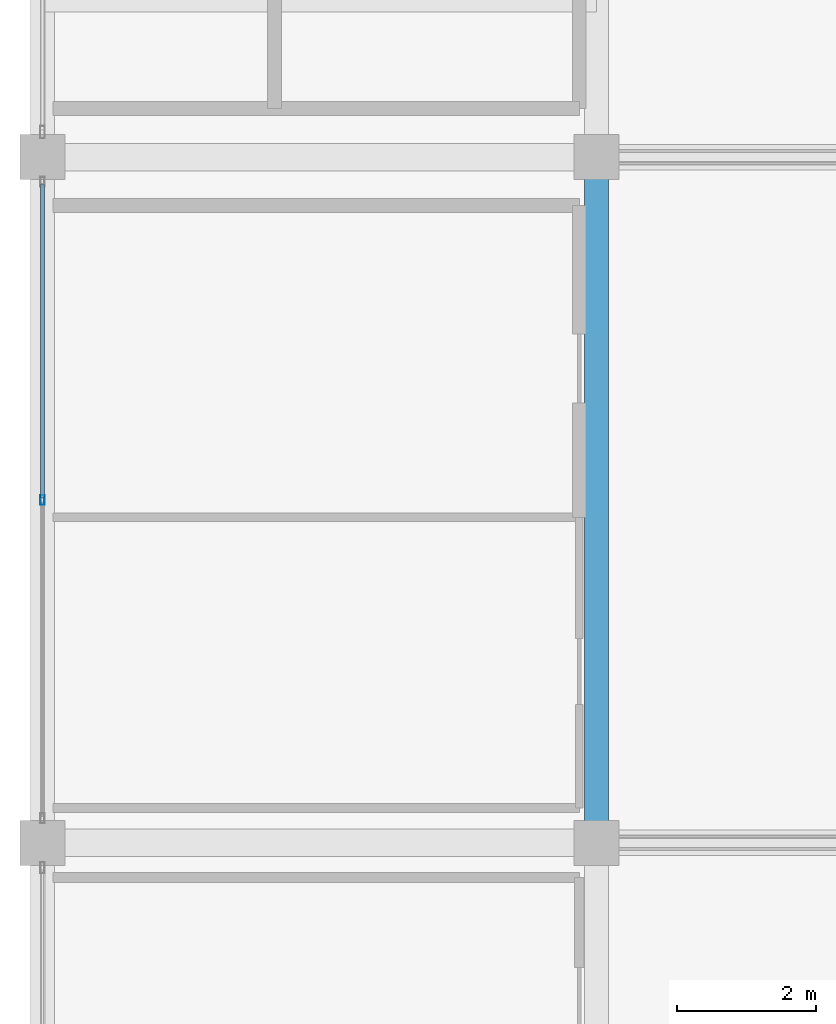
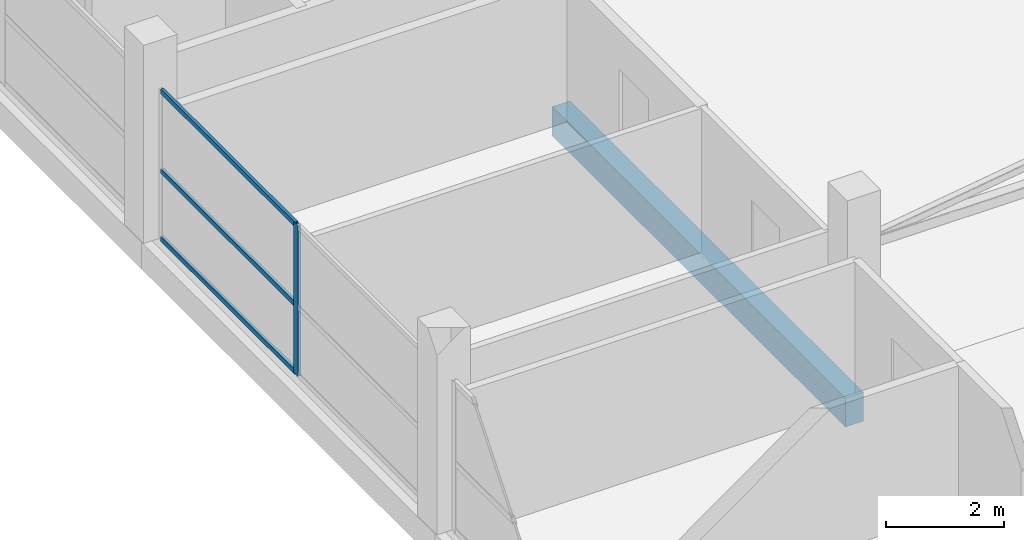
# One storey, part 23 of 66: 4 members, 1 beam, 1 element without a shape of its own.
"""IFC4 building model written with IfcOpenShell, lengths in metres."""

from ifc_helpers import new_model, si_unit, direction, frame, origin, origin_2d, place, context, subcontext, project, spatial, rectangle, hollow_rectangle, extrude, material, layer, layer_set, material_profile, profile_set, type_object, element, aggregate, save


model = new_model("IFC4")

# Units and contexts
model_context = context("Model", 3, precision=1e-05, world=origin(), true_north=direction((0.0, 1.0)))
body_context = subcontext(model_context, "Body", "Model", "MODEL_VIEW")
ifc_project = project(units=[si_unit("LENGTHUNIT", "METRE"), si_unit("AREAUNIT", "SQUARE_METRE"), si_unit("VOLUMEUNIT", "CUBIC_METRE"), si_unit("PLANEANGLEUNIT", "RADIAN"), si_unit("MASSUNIT", "GRAM", prefix="KILO")], contexts=[model_context])

# Site, building, storey
site_placement = place(None, origin())
site = spatial("IfcSite", under=ifc_project, at=site_placement, CompositionType="ELEMENT")
building_placement = place(site_placement, origin())
building = spatial("IfcBuilding", under=site, at=building_placement, Name="Sillaruma Civic Art Gallery", CompositionType="ELEMENT")
storey_placement = place(building_placement, frame((0.0, 0.0, 62.219970703125)))
storey = spatial("IfcBuildingStorey", under=building, at=storey_placement, Name="L12", CompositionType="ELEMENT", Elevation=62.219970703125)

# Beam
ifc_material_1 = material(Name="Concrete H35 (35 MPa)", Category="concrete")
ifc_material_profile_1 = material_profile(ifc_material_1, rectangle(XDim=0.35009765625, YDim=0.60009765625, at=origin_2d()), Name="RCB350x600")
ifc_profile_set_1 = profile_set([ifc_material_profile_1], Name="Concrete H35 (35 MPa)")
beam_type = type_object("IfcBeamType", Name="BM-BEAM-RCB350x600", PredefinedType="BEAM", material=ifc_profile_set_1)
beam_placement = place(storey_placement, frame((70.0, 59.39990234375, -0.530029296875), z_axis=(0.0, 1.0, 0.0), x_axis=(-1.0, 0.0, 0.0)))
element("IfcBeam", 1, at=beam_placement, inside=storey, type_object=beam_type, Name="Beam BM-06 (L11:G:7-8)", PredefinedType="BEAM", context=body_context, shape_type="SweptSolid", body=[
    extrude(rectangle(XDim=0.35009765625, YDim=0.60009765625, at=origin_2d()), origin(), (0.0, 0.0, 1.0), 9.900146484375),
])

# Curtain wall, members
ifc_material_2 = material(Name="Thermally Broken Extruded Aluminium 6063-T6", Category="aluminium")
ifc_layer = layer(ifc_material_2, 0.139892578125, Name="Thermally Broken Extruded Aluminium 6063-T6")
ifc_layer_set = layer_set([ifc_layer], Name="Thermally Broken Extruded Aluminium 6063-T6")
curtain_wall_type = type_object("IfcCurtainWallType", Name="CW-UNI-93", PredefinedType="NOTDEFINED", material=ifc_layer_set)
curtain_wall_placement = place(storey_placement, origin())
curtain_wall = element("IfcCurtainWall", 2, at=curtain_wall_placement, inside=storey, type_object=curtain_wall_type, Name="Unitised Curtain Wall CW-93 (CW-L12-WBW-5)", PredefinedType="NOTDEFINED")
ifc_material_profile_2 = material_profile(ifc_material_2, hollow_rectangle(XDim=0.06005859375, YDim=0.139892578125, WallThickness=0.00341796875, at=origin_2d()), Name="CWM60x140")
ifc_profile_set_2 = profile_set([ifc_material_profile_2], Name="Thermally Broken Extruded Aluminium 6063-T6")
member_type_1 = type_object("IfcMemberType", Name="MEM-MUL-CWM60x140", PredefinedType="MULLION", material=ifc_profile_set_2)
member_1_placement = place(storey_placement, frame((62.0, 64.35009765625, 0.0), z_axis=(0.0, 0.0, 1.0), x_axis=(-1.0, 0.0, 0.0)))
member_1 = element("IfcMember", 3, at=member_1_placement, type_object=member_type_1, Name="CW-93 mullion 2", PredefinedType="MULLION", context=body_context, shape_type="SweptSolid", body=[
    extrude(hollow_rectangle(XDim=0.06005859375, YDim=0.139892578125, WallThickness=0.00341796875, at=origin_2d()), origin(), (0.0, 0.0, 1.0), 3.10009765625),
])
ifc_material_profile_3 = material_profile(ifc_material_2, hollow_rectangle(XDim=0.06005859375, YDim=0.10009765625, WallThickness=0.003173828125, at=origin_2d()), Name="CWT60x100")
ifc_profile_set_3 = profile_set([ifc_material_profile_3], Name="Thermally Broken Extruded Aluminium 6063-T6")
member_type_2 = type_object("IfcMemberType", Name="MEM-TRN-CWT60x100", PredefinedType="USERDEFINED", material=ifc_profile_set_3)
member_2_placement = place(storey_placement, frame((62.0, 64.3798828125, 0.030029296875), z_axis=(0.0, 1.0, 0.0), x_axis=(-1.0, 0.0, 0.0)))
member_2 = element("IfcMember", 4, at=member_2_placement, type_object=member_type_2, Name="CW-93 transom 2.1", ObjectType="TRANSOM", PredefinedType="USERDEFINED", context=body_context, shape_type="SweptSolid", body=[
    extrude(hollow_rectangle(XDim=0.06005859375, YDim=0.10009765625, WallThickness=0.003173828125, at=origin_2d()), origin(), (0.0, 0.0, 1.0), 4.53515625),
])
member_3_placement = place(storey_placement, frame((62.0, 64.3798828125, 1.426025390625), z_axis=(0.0, 1.0, 0.0), x_axis=(-1.0, 0.0, 0.0)))
member_3 = element("IfcMember", 5, at=member_3_placement, type_object=member_type_2, Name="CW-93 transom 2.2", ObjectType="TRANSOM", PredefinedType="USERDEFINED", context=body_context, shape_type="SweptSolid", body=[
    extrude(hollow_rectangle(XDim=0.06005859375, YDim=0.10009765625, WallThickness=0.003173828125, at=origin_2d()), origin(), (0.0, 0.0, 1.0), 4.53515625),
])
member_4_placement = place(storey_placement, frame((62.0, 64.3798828125, 3.070068359375), z_axis=(0.0, 1.0, 0.0), x_axis=(-1.0, 0.0, 0.0)))
member_4 = element("IfcMember", 6, at=member_4_placement, type_object=member_type_2, Name="CW-93 transom 2.3", ObjectType="TRANSOM", PredefinedType="USERDEFINED", context=body_context, shape_type="SweptSolid", body=[
    extrude(hollow_rectangle(XDim=0.06005859375, YDim=0.10009765625, WallThickness=0.003173828125, at=origin_2d()), origin(), (0.0, 0.0, 1.0), 4.53515625),
])
aggregate(curtain_wall, [member_1, member_2, member_3, member_4])

save(model, "model.ifc")
